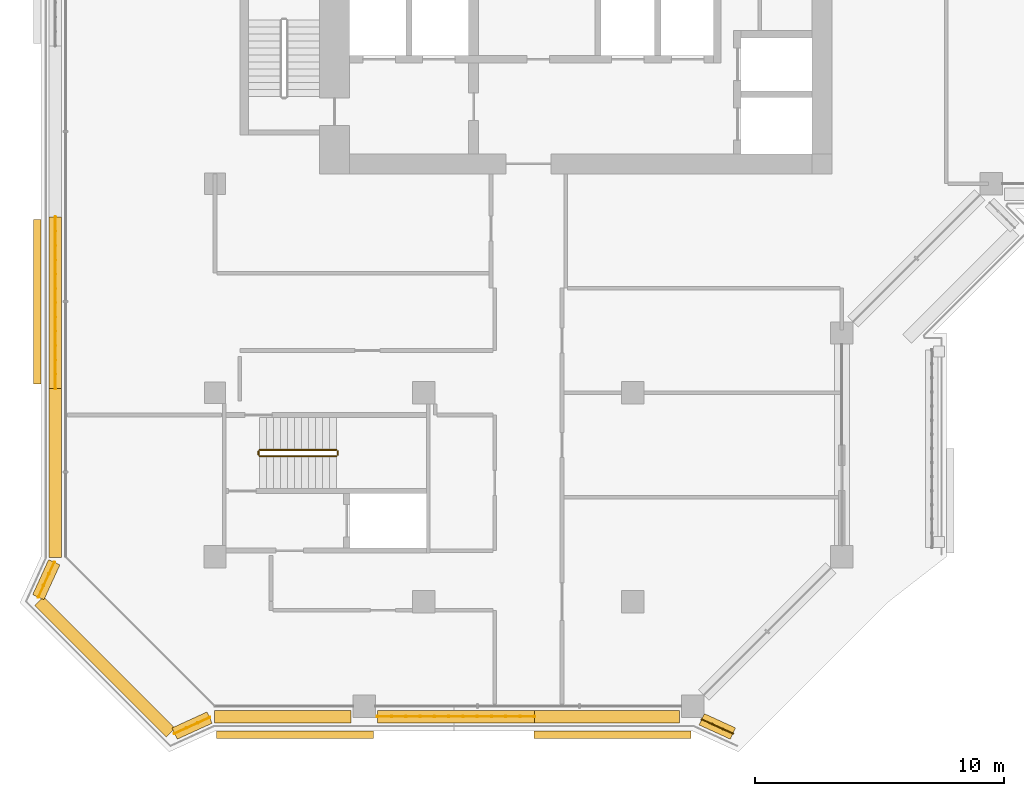
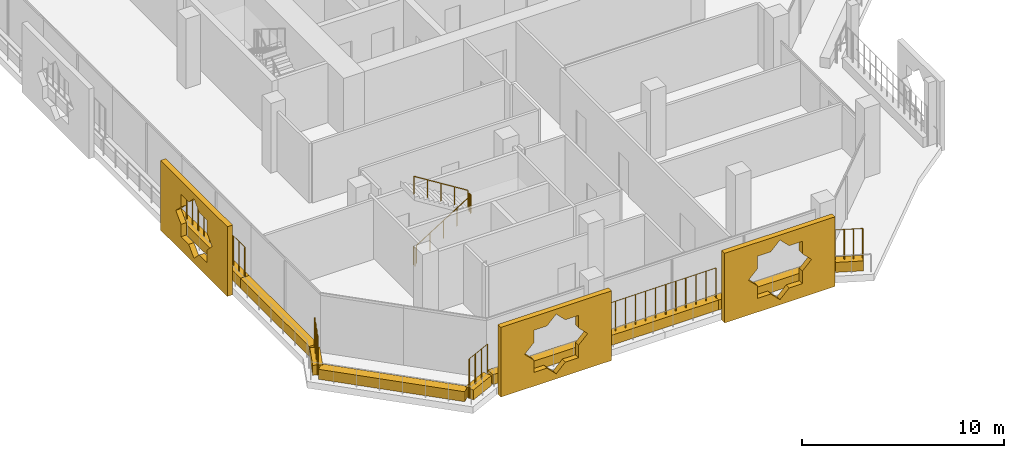
# One storey, part 15 of 22: 12 coverings, 9 railings.
"""IFC4 building model written with IfcOpenShell, lengths in metres."""

from ifc_helpers import new_model, si_unit, direction, frame, origin, origin_2d, place, context, subcontext, project, spatial, polyline, rectangle, circle, outline, extrude, material, material_profile, profile_set, type_object, element, save


model = new_model("IFC4")

# Units and contexts
model_context = context("Model", 3, precision=1e-05, world=origin(), true_north=direction((0.0, 1.0)))
body_context = subcontext(model_context, "Body", "Model", "MODEL_VIEW")
ifc_project = project(units=[si_unit("LENGTHUNIT", "METRE"), si_unit("AREAUNIT", "SQUARE_METRE"), si_unit("VOLUMEUNIT", "CUBIC_METRE"), si_unit("PLANEANGLEUNIT", "RADIAN"), si_unit("MASSUNIT", "GRAM", prefix="KILO")], contexts=[model_context])

# Site, building, storey
site_placement = place(None, origin())
site = spatial("IfcSite", under=ifc_project, at=site_placement, CompositionType="ELEMENT")
building_placement = place(site_placement, origin())
building = spatial("IfcBuilding", under=site, at=building_placement, Name="Kawkab Arch Medical Tower", CompositionType="ELEMENT")
storey_placement = place(building_placement, frame((0.0, 0.0, 251.60009765625)))
storey = spatial("IfcBuildingStorey", under=building, at=storey_placement, Name="L58", CompositionType="ELEMENT", Elevation=251.60009765625)

# Coverings
ifc_material_1 = material(Name="Bronze anodised aluminium mashrabiya panel, eight-point star pattern", Category="aluminium")
ifc_material_profile_1 = material_profile(ifc_material_1, outline(polyline([(-3.14990234375, -2.10009765625), (3.14990234375, -2.10009765625), (3.14990234375, 2.10009765625), (-3.14990234375, 2.10009765625), (-3.14990234375, -2.10009765625)]), holes=[polyline([(1.800048828125, 0.0), (1.272705078125, 0.527099609375), (1.272705078125, 1.272705078125), (0.527099609375, 1.272705078125), (0.0, 1.800048828125), (-0.527099609375, 1.272705078125), (-1.272705078125, 1.272705078125), (-1.272705078125, 0.527099609375), (-1.800048828125, 0.0), (-1.272705078125, -0.527099609375), (-1.272705078125, -1.272705078125), (-0.527099609375, -1.272705078125), (0.0, -1.800048828125), (0.527099609375, -1.272705078125), (1.272705078125, -1.272705078125), (1.272705078125, -0.527099609375), (1.800048828125, 0.0)])]), Name="Mashrabiya panel 6300x4200")
ifc_profile_set_1 = profile_set([ifc_material_profile_1], Name="Bronze anodised aluminium mashrabiya panel, eight-point star pattern")
covering_type_1 = type_object("IfcCoveringType", Name="Mashrabiya panel 6300 x 4200", PredefinedType="USERDEFINED", material=ifc_profile_set_1)
for number, where, z_axis, x_axis, name in (
    (1, (15.9814453125, -47.199951171875, 1.699951171875), (0.0, -1.0, 0.0), (1.0, 0.0, 0.0), "Mashrabiya panel L58.LOG-01-01.1"),
    (2, (3.218505859375, -47.199951171875, 1.699951171875), (0.0, -1.0, 0.0), (1.0, 0.0, 0.0), "Mashrabiya panel L58.LOG-01-01.2"),
):
    element("IfcCovering", number, at=place(storey_placement, frame(where, z_axis=z_axis, x_axis=x_axis)), inside=storey, type_object=covering_type_1, Name=name, ObjectType="SCREEN", PredefinedType="USERDEFINED", context=body_context, shape_type="SweptSolid", body=[
        extrude(outline(polyline([(-3.14990234375, -2.10009765625), (3.14990234375, -2.10009765625), (3.14990234375, 2.10009765625), (-3.14990234375, 2.10009765625), (-3.14990234375, -2.10009765625)]), holes=[polyline([(1.800048828125, 0.0), (1.272705078125, 0.527099609375), (1.272705078125, 1.272705078125), (0.527099609375, 1.272705078125), (0.0, 1.800048828125), (-0.527099609375, 1.272705078125), (-1.272705078125, 1.272705078125), (-1.272705078125, 0.527099609375), (-1.800048828125, 0.0), (-1.272705078125, -0.527099609375), (-1.272705078125, -1.272705078125), (-0.527099609375, -1.272705078125), (0.0, -1.800048828125), (0.527099609375, -1.272705078125), (1.272705078125, -1.272705078125), (1.272705078125, -0.527099609375), (1.800048828125, 0.0)])]), origin(), (0.0, 0.0, 1.0), 0.300048828125),
    ])
ifc_material_2 = material(Name="Bronze anodised aluminium mashrabiya panel, eight-point star pattern", Category="aluminium")
ifc_material_profile_2 = material_profile(ifc_material_2, outline(polyline([(-3.300048828125, -2.10009765625), (3.300048828125, -2.10009765625), (3.300048828125, 2.10009765625), (-3.300048828125, 2.10009765625), (-3.300048828125, -2.10009765625)]), holes=[polyline([(1.800048828125, 0.0), (1.272705078125, 0.527099609375), (1.272705078125, 1.272705078125), (0.527099609375, 1.272705078125), (0.0, 1.800048828125), (-0.527099609375, 1.272705078125), (-1.272705078125, 1.272705078125), (-1.272705078125, 0.527099609375), (-1.800048828125, 0.0), (-1.272705078125, -0.527099609375), (-1.272705078125, -1.272705078125), (-0.527099609375, -1.272705078125), (0.0, -1.800048828125), (0.527099609375, -1.272705078125), (1.272705078125, -1.272705078125), (1.272705078125, -0.527099609375), (1.800048828125, 0.0)])]), Name="Mashrabiya panel 6600x4200")
ifc_profile_set_2 = profile_set([ifc_material_profile_2], Name="Bronze anodised aluminium mashrabiya panel, eight-point star pattern")
covering_type_2 = type_object("IfcCoveringType", Name="Mashrabiya panel 6600 x 4200", PredefinedType="USERDEFINED", material=ifc_profile_set_2)
covering_1_placement = place(storey_placement, frame((-7.0, -29.94091796875, 1.699951171875), z_axis=(-1.0, 0.0, 0.0), x_axis=(0.0, -1.0, 0.0)))
element("IfcCovering", 3, at=covering_1_placement, inside=storey, type_object=covering_type_2, Name="Mashrabiya panel L58.LOG-01-01.3", ObjectType="SCREEN", PredefinedType="USERDEFINED", context=body_context, shape_type="SweptSolid", body=[
    extrude(outline(polyline([(-3.300048828125, -2.10009765625), (3.300048828125, -2.10009765625), (3.300048828125, 2.10009765625), (-3.300048828125, 2.10009765625), (-3.300048828125, -2.10009765625)]), holes=[polyline([(1.800048828125, 0.0), (1.272705078125, 0.527099609375), (1.272705078125, 1.272705078125), (0.527099609375, 1.272705078125), (0.0, 1.800048828125), (-0.527099609375, 1.272705078125), (-1.272705078125, 1.272705078125), (-1.272705078125, 0.527099609375), (-1.800048828125, 0.0), (-1.272705078125, -0.527099609375), (-1.272705078125, -1.272705078125), (-0.527099609375, -1.272705078125), (0.0, -1.800048828125), (0.527099609375, -1.272705078125), (1.272705078125, -1.272705078125), (1.272705078125, -0.527099609375), (1.800048828125, 0.0)])]), origin(), (0.0, 0.0, 1.0), 0.300048828125),
])
ifc_material_3 = material(Name="Planting soil in a precast trough", Category="concrete")
ifc_material_profile_3 = material_profile(ifc_material_3, rectangle(XDim=0.5, YDim=0.60009765625, at=origin_2d()), Name="Trough 500x600")
ifc_profile_set_3 = profile_set([ifc_material_profile_3], Name="Planting soil in a precast trough")
covering_type_3 = type_object("IfcCoveringType", Name="Planter trough 500 x 600", PredefinedType="USERDEFINED", material=ifc_profile_set_3)
covering_2_placement = place(storey_placement, frame((20.821044921875, -47.302001953125, 0.2998046875), z_axis=(-0.909831953447, 0.41497688669, 0.0), x_axis=(-0.41497688669, -0.909831953447, 0.0)))
element("IfcCovering", 4, at=covering_2_placement, inside=storey, type_object=covering_type_3, Name="Planter L58.LOG-01-01.1", ObjectType="PLANTER", PredefinedType="USERDEFINED", context=body_context, shape_type="SweptSolid", body=[
    extrude(rectangle(XDim=0.5, YDim=0.60009765625, at=origin_2d()), origin(), (0.0, 0.0, 1.0), 1.37841796875),
])
covering_3_placement = place(storey_placement, frame((18.669921875, -46.6201171875, 0.2998046875), z_axis=(-1.0, 0.0, 0.0), x_axis=(0.0, -1.0, 0.0)))
element("IfcCovering", 5, at=covering_3_placement, inside=storey, type_object=covering_type_3, Name="Planter L58.LOG-01-01.2", ObjectType="PLANTER", PredefinedType="USERDEFINED", context=body_context, shape_type="SweptSolid", body=[
    extrude(rectangle(XDim=0.5, YDim=0.60009765625, at=origin_2d()), origin(), (0.0, 0.0, 1.0), 5.827880859375),
])
covering_4_placement = place(storey_placement, frame((12.842041015625, -46.6201171875, 0.2998046875), z_axis=(-1.0, 0.0, 0.0), x_axis=(0.0, -1.0, 0.0)))
element("IfcCovering", 6, at=covering_4_placement, inside=storey, type_object=covering_type_3, Name="Planter L58.LOG-01-01.3", ObjectType="PLANTER", PredefinedType="USERDEFINED", context=body_context, shape_type="SweptSolid", body=[
    extrude(rectangle(XDim=0.5, YDim=0.60009765625, at=origin_2d()), origin(), (0.0, 0.0, 1.0), 6.31201171875),
])
covering_5_placement = place(storey_placement, frame((5.469970703125, -46.6201171875, 0.2998046875), z_axis=(-1.0, 0.0, 0.0), x_axis=(0.0, -1.0, 0.0)))
element("IfcCovering", 7, at=covering_5_placement, inside=storey, type_object=covering_type_3, Name="Planter L58.LOG-01-01.4", ObjectType="PLANTER", PredefinedType="USERDEFINED", context=body_context, shape_type="SweptSolid", body=[
    extrude(rectangle(XDim=0.5, YDim=0.60009765625, at=origin_2d()), origin(), (0.0, 0.0, 1.0), 5.495849609375),
])
covering_6_placement = place(storey_placement, frame((-0.217041015625, -46.660888671875, 0.2998046875), z_axis=(-0.909655525109, -0.415363486165, 0.0), x_axis=(0.415363486165, -0.909655525109, 0.0)))
element("IfcCovering", 8, at=covering_6_placement, inside=storey, type_object=covering_type_3, Name="Planter L58.LOG-01-01.5", ObjectType="PLANTER", PredefinedType="USERDEFINED", context=body_context, shape_type="SweptSolid", body=[
    extrude(rectangle(XDim=0.5, YDim=0.60009765625, at=origin_2d()), origin(), (0.0, 0.0, 1.0), 1.54345703125),
])
covering_7_placement = place(storey_placement, frame((-1.782958984375, -47.27294921875, 0.2998046875), z_axis=(-0.707106781187, 0.707106781187, 0.0), x_axis=(-0.707106781187, -0.707106781187, 0.0)))
element("IfcCovering", 9, at=covering_7_placement, inside=storey, type_object=covering_type_3, Name="Planter L58.LOG-01-01.6", ObjectType="PLANTER", PredefinedType="USERDEFINED", context=body_context, shape_type="SweptSolid", body=[
    extrude(rectangle(XDim=0.5, YDim=0.60009765625, at=origin_2d()), origin(), (0.0, 0.0, 1.0), 7.481201171875),
])
covering_8_placement = place(storey_placement, frame((-7.10205078125, -41.821044921875, 0.2998046875), z_axis=(0.415363486165, 0.909655525109, 0.0), x_axis=(-0.909655525109, 0.415363486165, 0.0)))
element("IfcCovering", 10, at=covering_8_placement, inside=storey, type_object=covering_type_3, Name="Planter L58.LOG-01-01.7", ObjectType="PLANTER", PredefinedType="USERDEFINED", context=body_context, shape_type="SweptSolid", body=[
    extrude(rectangle(XDim=0.5, YDim=0.60009765625, at=origin_2d()), origin(), (0.0, 0.0, 1.0), 1.54345703125),
])
covering_9_placement = place(storey_placement, frame((-6.419921875, -40.22607421875, 0.2998046875), z_axis=(0.0, 1.0, 0.0), x_axis=(-1.0, 0.0, 0.0)))
element("IfcCovering", 11, at=covering_9_placement, inside=storey, type_object=covering_type_3, Name="Planter L58.LOG-01-01.8", ObjectType="PLANTER", PredefinedType="USERDEFINED", context=body_context, shape_type="SweptSolid", body=[
    extrude(rectangle(XDim=0.5, YDim=0.60009765625, at=origin_2d()), origin(), (0.0, 0.0, 1.0), 6.7900390625),
])
covering_10_placement = place(storey_placement, frame((-6.419921875, -33.43603515625, 0.2998046875), z_axis=(0.0, 1.0, 0.0), x_axis=(-1.0, 0.0, 0.0)))
element("IfcCovering", 12, at=covering_10_placement, inside=storey, type_object=covering_type_3, Name="Planter L58.LOG-01-01.9", ObjectType="PLANTER", PredefinedType="USERDEFINED", context=body_context, shape_type="SweptSolid", body=[
    extrude(rectangle(XDim=0.5, YDim=0.60009765625, at=origin_2d()), origin(), (0.0, 0.0, 1.0), 6.89111328125),
])

# Railings
ifc_material_4 = material(Name="Bronze anodised aluminium trellis for climbing plants", Category="aluminium")
railing_type_1 = type_object("IfcRailingType", Name="Planting trellis 2400", PredefinedType="USERDEFINED", material=ifc_material_4)
railing_1_placement = place(storey_placement, frame((20.821044921875, -47.302001953125, 0.0)))
element("IfcRailing", 13, at=railing_1_placement, inside=storey, type_object=railing_type_1, Name="Planting trellis L58.LOG-01-01.1", ObjectType="TRELLIS", PredefinedType="USERDEFINED", context=body_context, shape_type="SweptSolid", body=[
    extrude(circle(Radius=0.01513671875, at=origin_2d()), frame((0.0, 0.0, 2.384765625), z_axis=(-0.909831953447, 0.41497688669, 0.0), x_axis=(-0.41497688669, -0.909831953447, 0.0)), (0.0, 0.0, 1.0), 1.37841796875),
    extrude(circle(Radius=0.030029296875, at=origin_2d()), origin(), (0.0, 0.0, 1.0), 2.369873046875),
    extrude(circle(Radius=0.030029296875, at=origin_2d()), frame((-0.41796875, 0.190673828125, 0.0)), (0.0, 0.0, 1.0), 2.369873046875),
    extrude(circle(Radius=0.030029296875, at=origin_2d()), frame((-0.836181640625, 0.38134765625, 0.0)), (0.0, 0.0, 1.0), 2.369873046875),
    extrude(circle(Radius=0.030029296875, at=origin_2d()), frame((-1.254150390625, 0.572021484375, 0.0)), (0.0, 0.0, 1.0), 2.369873046875),
])
railing_2_placement = place(storey_placement, frame((12.842041015625, -46.6201171875, 0.0)))
element("IfcRailing", 14, at=railing_2_placement, inside=storey, type_object=railing_type_1, Name="Planting trellis L58.LOG-01-01.3", ObjectType="TRELLIS", PredefinedType="USERDEFINED", context=body_context, shape_type="SweptSolid", body=[
    extrude(circle(Radius=0.01513671875, at=origin_2d()), frame((0.0, 0.0, 2.384765625), z_axis=(-1.0, 0.0, 0.0), x_axis=(0.0, -1.0, 0.0)), (0.0, 0.0, 1.0), 6.31201171875),
    extrude(circle(Radius=0.030029296875, at=origin_2d()), origin(), (0.0, 0.0, 1.0), 2.369873046875),
    extrude(circle(Radius=0.030029296875, at=origin_2d()), frame((-0.57373046875, 0.0, 0.0)), (0.0, 0.0, 1.0), 2.369873046875),
    extrude(circle(Radius=0.030029296875, at=origin_2d()), frame((-1.147705078125, 0.0, 0.0)), (0.0, 0.0, 1.0), 2.369873046875),
    extrude(circle(Radius=0.030029296875, at=origin_2d()), frame((-1.721435546875, 0.0, 0.0)), (0.0, 0.0, 1.0), 2.369873046875),
    extrude(circle(Radius=0.030029296875, at=origin_2d()), frame((-2.295166015625, 0.0, 0.0)), (0.0, 0.0, 1.0), 2.369873046875),
    extrude(circle(Radius=0.030029296875, at=origin_2d()), frame((-2.869140625, 0.0, 0.0)), (0.0, 0.0, 1.0), 2.369873046875),
    extrude(circle(Radius=0.030029296875, at=origin_2d()), frame((-3.44287109375, 0.0, 0.0)), (0.0, 0.0, 1.0), 2.369873046875),
    extrude(circle(Radius=0.030029296875, at=origin_2d()), frame((-4.016845703125, 0.0, 0.0)), (0.0, 0.0, 1.0), 2.369873046875),
    extrude(circle(Radius=0.030029296875, at=origin_2d()), frame((-4.590576171875, 0.0, 0.0)), (0.0, 0.0, 1.0), 2.369873046875),
    extrude(circle(Radius=0.030029296875, at=origin_2d()), frame((-5.164306640625, 0.0, 0.0)), (0.0, 0.0, 1.0), 2.369873046875),
    extrude(circle(Radius=0.030029296875, at=origin_2d()), frame((-5.73828125, 0.0, 0.0)), (0.0, 0.0, 1.0), 2.369873046875),
    extrude(circle(Radius=0.030029296875, at=origin_2d()), frame((-6.31201171875, 0.0, 0.0)), (0.0, 0.0, 1.0), 2.369873046875),
])
railing_3_placement = place(storey_placement, frame((-0.217041015625, -46.660888671875, 0.0)))
element("IfcRailing", 15, at=railing_3_placement, inside=storey, type_object=railing_type_1, Name="Planting trellis L58.LOG-01-01.5", ObjectType="TRELLIS", PredefinedType="USERDEFINED", context=body_context, shape_type="SweptSolid", body=[
    extrude(circle(Radius=0.01513671875, at=origin_2d()), frame((0.0, 0.0, 2.384765625), z_axis=(-0.909655525109, -0.415363486165, 0.0), x_axis=(0.415363486165, -0.909655525109, 0.0)), (0.0, 0.0, 1.0), 1.54345703125),
    extrude(circle(Radius=0.030029296875, at=origin_2d()), origin(), (0.0, 0.0, 1.0), 2.369873046875),
    extrude(circle(Radius=0.030029296875, at=origin_2d()), frame((-0.468017578125, -0.213623046875, 0.0)), (0.0, 0.0, 1.0), 2.369873046875),
    extrude(circle(Radius=0.030029296875, at=origin_2d()), frame((-0.93603515625, -0.427490234375, 0.0)), (0.0, 0.0, 1.0), 2.369873046875),
    extrude(circle(Radius=0.030029296875, at=origin_2d()), frame((-1.404052734375, -0.64111328125, 0.0)), (0.0, 0.0, 1.0), 2.369873046875),
])
railing_4_placement = place(storey_placement, frame((-7.10205078125, -41.821044921875, 0.0)))
element("IfcRailing", 16, at=railing_4_placement, inside=storey, type_object=railing_type_1, Name="Planting trellis L58.LOG-01-01.7", ObjectType="TRELLIS", PredefinedType="USERDEFINED", context=body_context, shape_type="SweptSolid", body=[
    extrude(circle(Radius=0.01513671875, at=origin_2d()), frame((0.0, 0.0, 2.384765625), z_axis=(0.415363486165, 0.909655525109, 0.0), x_axis=(-0.909655525109, 0.415363486165, 0.0)), (0.0, 0.0, 1.0), 1.54345703125),
    extrude(circle(Radius=0.030029296875, at=origin_2d()), origin(), (0.0, 0.0, 1.0), 2.369873046875),
    extrude(circle(Radius=0.030029296875, at=origin_2d()), frame((0.213623046875, 0.468017578125, 0.0)), (0.0, 0.0, 1.0), 2.369873046875),
    extrude(circle(Radius=0.030029296875, at=origin_2d()), frame((0.427490234375, 0.93603515625, 0.0)), (0.0, 0.0, 1.0), 2.369873046875),
    extrude(circle(Radius=0.030029296875, at=origin_2d()), frame((0.64111328125, 1.404052734375, 0.0)), (0.0, 0.0, 1.0), 2.369873046875),
])
railing_5_placement = place(storey_placement, frame((-6.419921875, -33.43603515625, 0.0)))
element("IfcRailing", 17, at=railing_5_placement, inside=storey, type_object=railing_type_1, Name="Planting trellis L58.LOG-01-01.9", ObjectType="TRELLIS", PredefinedType="USERDEFINED", context=body_context, shape_type="SweptSolid", body=[
    extrude(circle(Radius=0.01513671875, at=origin_2d()), frame((0.0, 0.0, 2.384765625), z_axis=(0.0, 1.0, 0.0), x_axis=(-1.0, 0.0, 0.0)), (0.0, 0.0, 1.0), 6.89111328125),
    extrude(circle(Radius=0.030029296875, at=origin_2d()), origin(), (0.0, 0.0, 1.0), 2.369873046875),
    extrude(circle(Radius=0.030029296875, at=origin_2d()), frame((0.0, 0.57421875, 0.0)), (0.0, 0.0, 1.0), 2.369873046875),
    extrude(circle(Radius=0.030029296875, at=origin_2d()), frame((0.0, 1.1484375, 0.0)), (0.0, 0.0, 1.0), 2.369873046875),
    extrude(circle(Radius=0.030029296875, at=origin_2d()), frame((0.0, 1.72265625, 0.0)), (0.0, 0.0, 1.0), 2.369873046875),
    extrude(circle(Radius=0.030029296875, at=origin_2d()), frame((0.0, 2.297119140625, 0.0)), (0.0, 0.0, 1.0), 2.369873046875),
    extrude(circle(Radius=0.030029296875, at=origin_2d()), frame((0.0, 2.871337890625, 0.0)), (0.0, 0.0, 1.0), 2.369873046875),
    extrude(circle(Radius=0.030029296875, at=origin_2d()), frame((0.0, 3.445556640625, 0.0)), (0.0, 0.0, 1.0), 2.369873046875),
    extrude(circle(Radius=0.030029296875, at=origin_2d()), frame((0.0, 4.019775390625, 0.0)), (0.0, 0.0, 1.0), 2.369873046875),
    extrude(circle(Radius=0.030029296875, at=origin_2d()), frame((0.0, 4.593994140625, 0.0)), (0.0, 0.0, 1.0), 2.369873046875),
    extrude(circle(Radius=0.030029296875, at=origin_2d()), frame((0.0, 5.16845703125, 0.0)), (0.0, 0.0, 1.0), 2.369873046875),
    extrude(circle(Radius=0.030029296875, at=origin_2d()), frame((0.0, 5.74267578125, 0.0)), (0.0, 0.0, 1.0), 2.369873046875),
    extrude(circle(Radius=0.030029296875, at=origin_2d()), frame((0.0, 6.31689453125, 0.0)), (0.0, 0.0, 1.0), 2.369873046875),
    extrude(circle(Radius=0.030029296875, at=origin_2d()), frame((0.0, 6.89111328125, 0.0)), (0.0, 0.0, 1.0), 2.369873046875),
])
ifc_material_5 = material(Name="Stainless steel", Category="steel")
railing_type_2 = type_object("IfcRailingType", Name="Stair guard 1100", PredefinedType="GUARDRAIL", material=ifc_material_5)
railing_6_placement = place(storey_placement, frame((1.800048828125, -36.14990234375, 0.1748046875)))
element("IfcRailing", 18, at=railing_6_placement, inside=storey, type_object=railing_type_2, Name="L58 ST6 stair guard 1", PredefinedType="GUARDRAIL", context=body_context, shape_type="SweptSolid", body=[
    extrude(circle(Radius=0.02392578125, at=origin_2d()), frame((0.0, 0.0, 1.076171875), z_axis=(0.847979421464, 0.0, 0.530029150871), x_axis=(0.0, 1.0, 0.0)), (0.0, 0.0, 1.0), 3.632080078125),
    extrude(circle(Radius=0.02099609375, at=origin_2d()), origin(), (0.0, 0.0, 1.0), 1.052001953125),
    extrude(circle(Radius=0.02099609375, at=origin_2d()), frame((0.77001953125, 0.0, 0.481201171875)), (0.0, 0.0, 1.0), 1.052001953125),
    extrude(circle(Radius=0.02099609375, at=origin_2d()), frame((1.5400390625, 0.0, 0.96240234375)), (0.0, 0.0, 1.0), 1.052001953125),
    extrude(circle(Radius=0.02099609375, at=origin_2d()), frame((2.309814453125, 0.0, 1.44384765625)), (0.0, 0.0, 1.0), 1.052001953125),
    extrude(circle(Radius=0.02099609375, at=origin_2d()), frame((3.079833984375, 0.0, 1.925048828125)), (0.0, 0.0, 1.0), 1.052001953125),
])
railing_7_placement = place(storey_placement, frame((4.929931640625, -36.10009765625, 2.099853515625)))
element("IfcRailing", 19, at=railing_7_placement, inside=storey, type_object=railing_type_2, Name="L58 ST6 stair guard 2", PredefinedType="GUARDRAIL", context=body_context, shape_type="SweptSolid", body=[
    extrude(circle(Radius=0.02392578125, at=origin_2d()), frame((0.0, 0.0, 1.076171875), z_axis=(0.0, 1.0, 0.0), x_axis=(-1.0, 0.0, 0.0)), (0.0, 0.0, 1.0), 0.150146484375),
    extrude(circle(Radius=0.02099609375, at=origin_2d()), origin(), (0.0, 0.0, 1.0), 1.052001953125),
    extrude(circle(Radius=0.02099609375, at=origin_2d()), frame((0.0, 0.150146484375, 0.0)), (0.0, 0.0, 1.0), 1.052001953125),
])
railing_8_placement = place(storey_placement, frame((4.8798828125, -35.89990234375, 2.27490234375)))
element("IfcRailing", 20, at=railing_8_placement, inside=storey, type_object=railing_type_2, Name="L58 ST6 stair guard 3", PredefinedType="GUARDRAIL", context=body_context, shape_type="SweptSolid", body=[
    extrude(circle(Radius=0.02392578125, at=origin_2d()), frame((0.0, 0.0, 1.076171875), z_axis=(-0.847979421464, 0.0, 0.530029150871), x_axis=(0.0, -1.0, 0.0)), (0.0, 0.0, 1.0), 3.632080078125),
    extrude(circle(Radius=0.02099609375, at=origin_2d()), origin(), (0.0, 0.0, 1.0), 1.052001953125),
    extrude(circle(Radius=0.02099609375, at=origin_2d()), frame((-0.77001953125, 0.0, 0.481201171875)), (0.0, 0.0, 1.0), 1.052001953125),
    extrude(circle(Radius=0.02099609375, at=origin_2d()), frame((-1.5400390625, 0.0, 0.96240234375)), (0.0, 0.0, 1.0), 1.052001953125),
    extrude(circle(Radius=0.02099609375, at=origin_2d()), frame((-2.309814453125, 0.0, 1.44384765625)), (0.0, 0.0, 1.0), 1.052001953125),
    extrude(circle(Radius=0.02099609375, at=origin_2d()), frame((-3.079833984375, 0.0, 1.925048828125)), (0.0, 0.0, 1.0), 1.052001953125),
])
railing_9_placement = place(storey_placement, frame((1.75, -36.10009765625, 0.0)))
element("IfcRailing", 21, at=railing_9_placement, inside=storey, type_object=railing_type_2, Name="L58 ST6 stair guard 4", PredefinedType="GUARDRAIL", context=body_context, shape_type="SweptSolid", body=[
    extrude(circle(Radius=0.02392578125, at=origin_2d()), frame((0.0, 0.0, 1.076171875), z_axis=(0.0, 1.0, 0.0), x_axis=(-1.0, 0.0, 0.0)), (0.0, 0.0, 1.0), 0.150146484375),
    extrude(circle(Radius=0.02099609375, at=origin_2d()), origin(), (0.0, 0.0, 1.0), 1.052001953125),
    extrude(circle(Radius=0.02099609375, at=origin_2d()), frame((0.0, 0.150146484375, 0.0)), (0.0, 0.0, 1.0), 1.052001953125),
])

save(model, "model.ifc")
